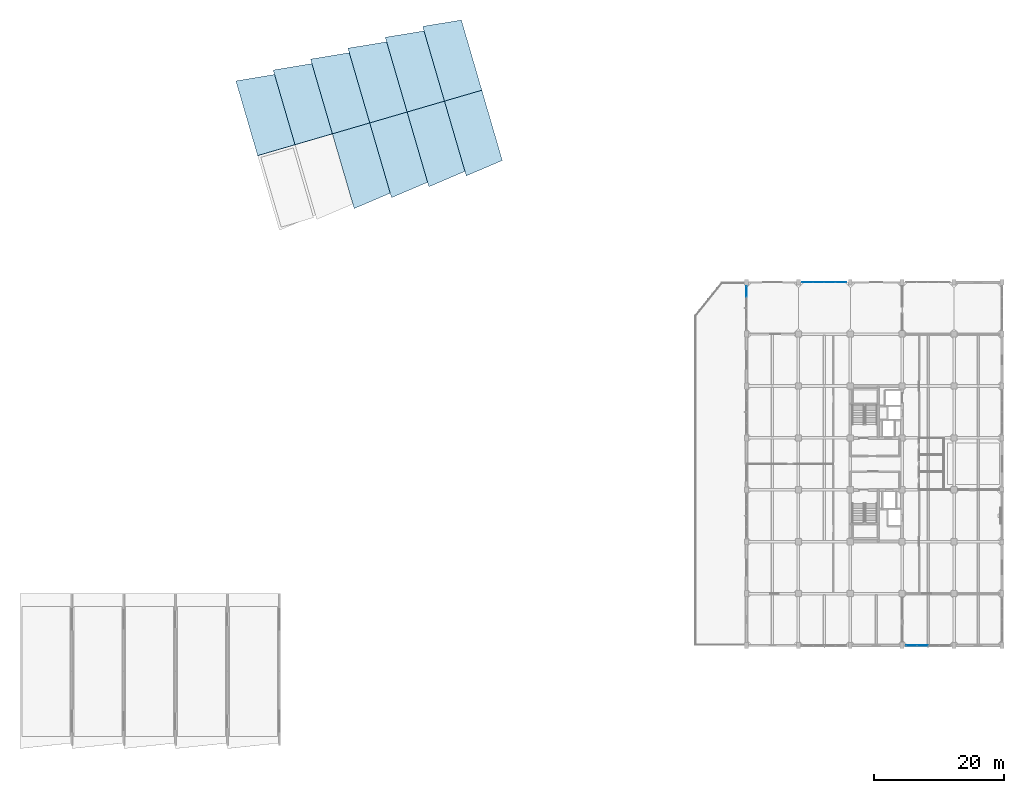
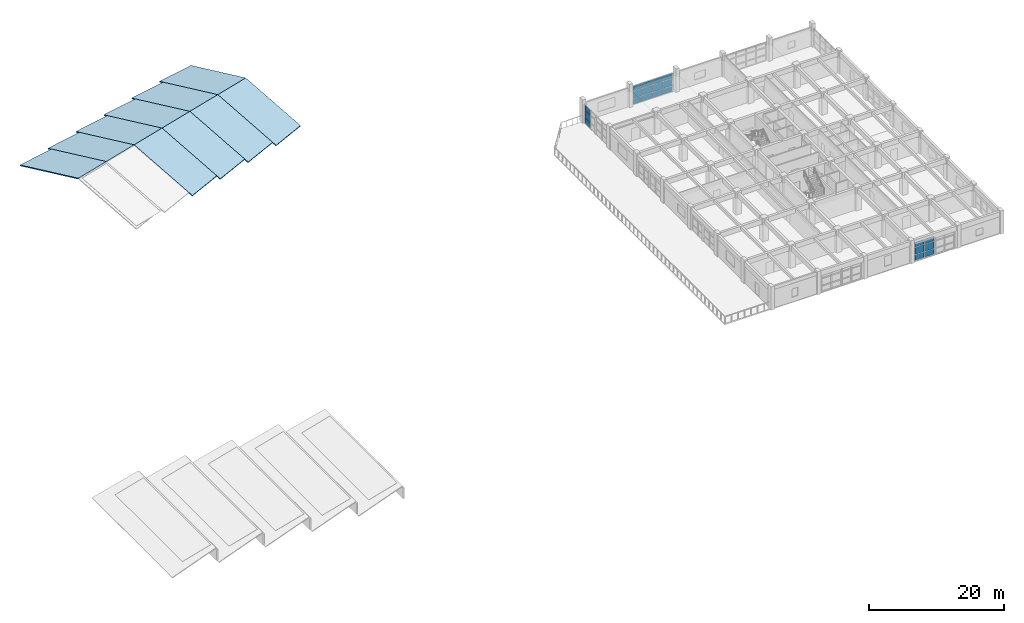
# One storey, part 23 of 35: 21 plates, 10 slabs, 3 elements without a shape of their own.
"""IFC4 building model written with IfcOpenShell, lengths in metres."""

from ifc_helpers import new_model, si_unit, direction, frame, origin, origin_2d, place, context, subcontext, project, spatial, polyline, rectangle, outline, extrude, material, layer, layer_set, type_object, element, aggregate, save


model = new_model("IFC4")

# Units and contexts
model_context = context("Model", 3, precision=1e-05, world=origin(), true_north=direction((0.0, 1.0)))
body_context = subcontext(model_context, "Body", "Model", "MODEL_VIEW")
ifc_project = project(units=[si_unit("LENGTHUNIT", "METRE"), si_unit("AREAUNIT", "SQUARE_METRE"), si_unit("VOLUMEUNIT", "CUBIC_METRE"), si_unit("PLANEANGLEUNIT", "RADIAN"), si_unit("MASSUNIT", "GRAM", prefix="KILO")], contexts=[model_context])

# Site, building, storey
site_placement = place(None, origin())
site = spatial("IfcSite", under=ifc_project, at=site_placement, CompositionType="ELEMENT")
building_placement = place(site_placement, origin())
building = spatial("IfcBuilding", under=site, at=building_placement, Name="Canggui Botanical Conservatory", CompositionType="ELEMENT")
storey_placement = place(building_placement, frame((0.0, 0.0, 15.0)))
storey = spatial("IfcBuildingStorey", under=building, at=storey_placement, Name="L04", CompositionType="ELEMENT", Elevation=15.0)

# Curtain wall, plates
ifc_material_1 = material(Name="Thermally Broken Aluminium", Category="aluminium")
ifc_layer_1 = layer(ifc_material_1, 0.179931640625, Name="Thermally Broken Aluminium", Category="aluminium")
ifc_layer_set_1 = layer_set([ifc_layer_1], Name="Thermally Broken Aluminium")
curtain_wall_type = type_object("IfcCurtainWallType", Name="CW-UNIT-A", PredefinedType="USERDEFINED", material=ifc_layer_set_1)
curtain_wall_1_placement = place(storey_placement, origin())
curtain_wall_1 = element("IfcCurtainWall", 1, at=curtain_wall_1_placement, inside=storey, type_object=curtain_wall_type, Name="Facade Curtain Wall CW-TWR-L04-02", ObjectType="UNITISED CURTAIN WALL", PredefinedType="USERDEFINED")
ifc_material_2 = material(Name="Low-E Insulated Glass", Category="glass")
ifc_layer_2 = layer(ifc_material_2, 0.02587890625, Name="Low-E Insulated Glass", Category="glass")
ifc_layer_set_2 = layer_set([ifc_layer_2], Name="Low-E Insulated Glass")
plate_type = type_object("IfcPlateType", Name="CWP-01", PredefinedType="CURTAIN_PANEL", material=ifc_layer_set_2)
plate_1_placement = place(storey_placement, frame((165.139892578125, 26.0, 0.06494140625), z_axis=(0.0, 0.0, 1.0), x_axis=(-1.0, 0.0, 0.0)))
plate_1 = element("IfcPlate", 2, at=plate_1_placement, type_object=plate_type, Name="CW-01 panel 3.1", PredefinedType="CURTAIN_PANEL", context=body_context, shape_type="SweptSolid", body=[
    extrude(rectangle(XDim=1.64990234375, YDim=0.02587890625, at=origin_2d()), origin(), (0.0, 0.0, 1.0), 0.990478515625),
])
plate_2_placement = place(storey_placement, frame((165.139892578125, 26.0, 1.12060546875), z_axis=(0.0, 0.0, 1.0), x_axis=(-1.0, 0.0, 0.0)))
plate_2 = element("IfcPlate", 3, at=plate_2_placement, type_object=plate_type, Name="CW-01 panel 3.2", PredefinedType="CURTAIN_PANEL", context=body_context, shape_type="SweptSolid", body=[
    extrude(rectangle(XDim=1.64990234375, YDim=0.02587890625, at=origin_2d()), origin(), (0.0, 0.0, 1.0), 1.294921875),
])
plate_3_placement = place(storey_placement, frame((165.139892578125, 26.0, 2.48046875), z_axis=(0.0, 0.0, 1.0), x_axis=(-1.0, 0.0, 0.0)))
plate_3 = element("IfcPlate", 4, at=plate_3_placement, type_object=plate_type, Name="CW-01 panel 3.3", PredefinedType="CURTAIN_PANEL", context=body_context, shape_type="SweptSolid", body=[
    extrude(rectangle(XDim=1.64990234375, YDim=0.02587890625, at=origin_2d()), origin(), (0.0, 0.0, 1.0), 0.8544921875),
])
plate_4_placement = place(storey_placement, frame((163.4375, 26.0, 0.06494140625), z_axis=(0.0, 0.0, 1.0), x_axis=(-1.0, 0.0, 0.0)))
plate_4 = element("IfcPlate", 5, at=plate_4_placement, type_object=plate_type, Name="CW-01 panel 4.1", PredefinedType="CURTAIN_PANEL", context=body_context, shape_type="SweptSolid", body=[
    extrude(rectangle(XDim=1.614990234375, YDim=0.02587890625, at=origin_2d()), origin(), (0.0, 0.0, 1.0), 0.990478515625),
])
plate_5_placement = place(storey_placement, frame((163.4375, 26.0, 1.12060546875), z_axis=(0.0, 0.0, 1.0), x_axis=(-1.0, 0.0, 0.0)))
plate_5 = element("IfcPlate", 6, at=plate_5_placement, type_object=plate_type, Name="CW-01 panel 4.2", PredefinedType="CURTAIN_PANEL", context=body_context, shape_type="SweptSolid", body=[
    extrude(rectangle(XDim=1.614990234375, YDim=0.02587890625, at=origin_2d()), origin(), (0.0, 0.0, 1.0), 1.294921875),
])
plate_6_placement = place(storey_placement, frame((163.4375, 26.0, 2.48046875), z_axis=(0.0, 0.0, 1.0), x_axis=(-1.0, 0.0, 0.0)))
plate_6 = element("IfcPlate", 7, at=plate_6_placement, type_object=plate_type, Name="CW-01 panel 4.3", PredefinedType="CURTAIN_PANEL", context=body_context, shape_type="SweptSolid", body=[
    extrude(rectangle(XDim=1.614990234375, YDim=0.02587890625, at=origin_2d()), origin(), (0.0, 0.0, 1.0), 0.8544921875),
])
aggregate(curtain_wall_1, [plate_1, plate_2, plate_3, plate_4, plate_5, plate_6])

curtain_wall_2_placement = place(storey_placement, origin())
curtain_wall_2 = element("IfcCurtainWall", 8, at=curtain_wall_2_placement, inside=storey, type_object=curtain_wall_type, Name="Facade Curtain Wall CW-TWR-L04-12", ObjectType="UNITISED CURTAIN WALL", PredefinedType="USERDEFINED")
plate_7_placement = place(storey_placement, frame((138.0, 80.5625, 0.06494140625), z_axis=(0.0, 0.0, 1.0), x_axis=(0.0, 1.0, 0.0)))
plate_7 = element("IfcPlate", 9, at=plate_7_placement, type_object=plate_type, Name="CW-01 panel 4.1", PredefinedType="CURTAIN_PANEL", context=body_context, shape_type="SweptSolid", body=[
    extrude(rectangle(XDim=1.614990234375, YDim=0.02587890625, at=origin_2d()), origin(), (0.0, 0.0, 1.0), 0.990478515625),
])
plate_8_placement = place(storey_placement, frame((138.0, 80.5625, 1.12060546875), z_axis=(0.0, 0.0, 1.0), x_axis=(0.0, 1.0, 0.0)))
plate_8 = element("IfcPlate", 10, at=plate_8_placement, type_object=plate_type, Name="CW-01 panel 4.2", PredefinedType="CURTAIN_PANEL", context=body_context, shape_type="SweptSolid", body=[
    extrude(rectangle(XDim=1.614990234375, YDim=0.02587890625, at=origin_2d()), origin(), (0.0, 0.0, 1.0), 1.294921875),
])
plate_9_placement = place(storey_placement, frame((138.0, 80.5625, 2.48046875), z_axis=(0.0, 0.0, 1.0), x_axis=(0.0, 1.0, 0.0)))
plate_9 = element("IfcPlate", 11, at=plate_9_placement, type_object=plate_type, Name="CW-01 panel 4.3", PredefinedType="CURTAIN_PANEL", context=body_context, shape_type="SweptSolid", body=[
    extrude(rectangle(XDim=1.614990234375, YDim=0.02587890625, at=origin_2d()), origin(), (0.0, 0.0, 1.0), 0.8544921875),
])
aggregate(curtain_wall_2, [plate_7, plate_8, plate_9])

curtain_wall_3_placement = place(storey_placement, origin())
curtain_wall_3 = element("IfcCurtainWall", 12, at=curtain_wall_3_placement, inside=storey, type_object=curtain_wall_type, Name="Facade Curtain Wall CW-TWR-L04-14", ObjectType="UNITISED CURTAIN WALL", PredefinedType="USERDEFINED")
plate_10_placement = place(storey_placement, frame((147.4375, 82.0, 0.06494140625), z_axis=(0.0, 0.0, 1.0), x_axis=(1.0, 0.0, 0.0)))
plate_10 = element("IfcPlate", 13, at=plate_10_placement, type_object=plate_type, Name="CW-01 panel 1.1", PredefinedType="CURTAIN_PANEL", context=body_context, shape_type="SweptSolid", body=[
    extrude(rectangle(XDim=1.614990234375, YDim=0.02587890625, at=origin_2d()), origin(), (0.0, 0.0, 1.0), 0.990478515625),
])
plate_11_placement = place(storey_placement, frame((147.4375, 82.0, 1.12060546875), z_axis=(0.0, 0.0, 1.0), x_axis=(1.0, 0.0, 0.0)))
plate_11 = element("IfcPlate", 14, at=plate_11_placement, type_object=plate_type, Name="CW-01 panel 1.2", PredefinedType="CURTAIN_PANEL", context=body_context, shape_type="SweptSolid", body=[
    extrude(rectangle(XDim=1.614990234375, YDim=0.02587890625, at=origin_2d()), origin(), (0.0, 0.0, 1.0), 1.294921875),
])
plate_12_placement = place(storey_placement, frame((147.4375, 82.0, 2.48046875), z_axis=(0.0, 0.0, 1.0), x_axis=(1.0, 0.0, 0.0)))
plate_12 = element("IfcPlate", 15, at=plate_12_placement, type_object=plate_type, Name="CW-01 panel 1.3", PredefinedType="CURTAIN_PANEL", context=body_context, shape_type="SweptSolid", body=[
    extrude(rectangle(XDim=1.614990234375, YDim=0.02587890625, at=origin_2d()), origin(), (0.0, 0.0, 1.0), 0.8544921875),
])
plate_13_placement = place(storey_placement, frame((149.139892578125, 82.0, 0.06494140625), z_axis=(0.0, 0.0, 1.0), x_axis=(1.0, 0.0, 0.0)))
plate_13 = element("IfcPlate", 16, at=plate_13_placement, type_object=plate_type, Name="CW-01 panel 2.1", PredefinedType="CURTAIN_PANEL", context=body_context, shape_type="SweptSolid", body=[
    extrude(rectangle(XDim=1.64990234375, YDim=0.02587890625, at=origin_2d()), origin(), (0.0, 0.0, 1.0), 0.990478515625),
])
plate_14_placement = place(storey_placement, frame((149.139892578125, 82.0, 1.12060546875), z_axis=(0.0, 0.0, 1.0), x_axis=(1.0, 0.0, 0.0)))
plate_14 = element("IfcPlate", 17, at=plate_14_placement, type_object=plate_type, Name="CW-01 panel 2.2", PredefinedType="CURTAIN_PANEL", context=body_context, shape_type="SweptSolid", body=[
    extrude(rectangle(XDim=1.64990234375, YDim=0.02587890625, at=origin_2d()), origin(), (0.0, 0.0, 1.0), 1.294921875),
])
plate_15_placement = place(storey_placement, frame((149.139892578125, 82.0, 2.48046875), z_axis=(0.0, 0.0, 1.0), x_axis=(1.0, 0.0, 0.0)))
plate_15 = element("IfcPlate", 18, at=plate_15_placement, type_object=plate_type, Name="CW-01 panel 2.3", PredefinedType="CURTAIN_PANEL", context=body_context, shape_type="SweptSolid", body=[
    extrude(rectangle(XDim=1.64990234375, YDim=0.02587890625, at=origin_2d()), origin(), (0.0, 0.0, 1.0), 0.8544921875),
])
plate_16_placement = place(storey_placement, frame((150.860107421875, 82.0, 0.06494140625), z_axis=(0.0, 0.0, 1.0), x_axis=(1.0, 0.0, 0.0)))
plate_16 = element("IfcPlate", 19, at=plate_16_placement, type_object=plate_type, Name="CW-01 panel 3.1", PredefinedType="CURTAIN_PANEL", context=body_context, shape_type="SweptSolid", body=[
    extrude(rectangle(XDim=1.64990234375, YDim=0.02587890625, at=origin_2d()), origin(), (0.0, 0.0, 1.0), 0.990478515625),
])
plate_17_placement = place(storey_placement, frame((150.860107421875, 82.0, 1.12060546875), z_axis=(0.0, 0.0, 1.0), x_axis=(1.0, 0.0, 0.0)))
plate_17 = element("IfcPlate", 20, at=plate_17_placement, type_object=plate_type, Name="CW-01 panel 3.2", PredefinedType="CURTAIN_PANEL", context=body_context, shape_type="SweptSolid", body=[
    extrude(rectangle(XDim=1.64990234375, YDim=0.02587890625, at=origin_2d()), origin(), (0.0, 0.0, 1.0), 1.294921875),
])
plate_18_placement = place(storey_placement, frame((150.860107421875, 82.0, 2.48046875), z_axis=(0.0, 0.0, 1.0), x_axis=(1.0, 0.0, 0.0)))
plate_18 = element("IfcPlate", 21, at=plate_18_placement, type_object=plate_type, Name="CW-01 panel 3.3", PredefinedType="CURTAIN_PANEL", context=body_context, shape_type="SweptSolid", body=[
    extrude(rectangle(XDim=1.64990234375, YDim=0.02587890625, at=origin_2d()), origin(), (0.0, 0.0, 1.0), 0.8544921875),
])
plate_19_placement = place(storey_placement, frame((152.5625, 82.0, 0.06494140625), z_axis=(0.0, 0.0, 1.0), x_axis=(1.0, 0.0, 0.0)))
plate_19 = element("IfcPlate", 22, at=plate_19_placement, type_object=plate_type, Name="CW-01 panel 4.1", PredefinedType="CURTAIN_PANEL", context=body_context, shape_type="SweptSolid", body=[
    extrude(rectangle(XDim=1.614990234375, YDim=0.02587890625, at=origin_2d()), origin(), (0.0, 0.0, 1.0), 0.990478515625),
])
plate_20_placement = place(storey_placement, frame((152.5625, 82.0, 1.12060546875), z_axis=(0.0, 0.0, 1.0), x_axis=(1.0, 0.0, 0.0)))
plate_20 = element("IfcPlate", 23, at=plate_20_placement, type_object=plate_type, Name="CW-01 panel 4.2", PredefinedType="CURTAIN_PANEL", context=body_context, shape_type="SweptSolid", body=[
    extrude(rectangle(XDim=1.614990234375, YDim=0.02587890625, at=origin_2d()), origin(), (0.0, 0.0, 1.0), 1.294921875),
])
plate_21_placement = place(storey_placement, frame((152.5625, 82.0, 2.48046875), z_axis=(0.0, 0.0, 1.0), x_axis=(1.0, 0.0, 0.0)))
plate_21 = element("IfcPlate", 24, at=plate_21_placement, type_object=plate_type, Name="CW-01 panel 4.3", PredefinedType="CURTAIN_PANEL", context=body_context, shape_type="SweptSolid", body=[
    extrude(rectangle(XDim=1.614990234375, YDim=0.02587890625, at=origin_2d()), origin(), (0.0, 0.0, 1.0), 0.8544921875),
])
aggregate(curtain_wall_3, [plate_10, plate_11, plate_12, plate_13, plate_14, plate_15, plate_16, plate_17, plate_18, plate_19, plate_20, plate_21])

# Slabs
ifc_material_3 = material(Name="Concrete C35", Category="concrete")
ifc_layer_3 = layer(ifc_material_3, 0.179931640625, Name="Concrete C35", Category="concrete")
ifc_layer_set_3 = layer_set([ifc_layer_3], Name="Concrete C35")
slab_type = type_object("IfcSlabType", Name="SLAB-R180", PredefinedType="ROOF", material=ifc_layer_set_3)
for number, where, z_axis, x_axis, name in (
    (25, (62.639892578125, 101.52001953125, 4.199951171875), (-0.076314797145, 0.261700649243, 0.962127237907), (0.960004019701, 0.279986217606, -1.0459017e-05), "Auditorium Folded Roof North Facet 1"),
    (26, (68.39990234375, 103.199951171875, 4.199951171875), (-0.076314797145, 0.261700649243, 0.962127237907), (0.960004019701, 0.279986217606, -1.0459017e-05), "Auditorium Folded Roof North Facet 2"),
):
    element("IfcSlab", number, at=place(storey_placement, frame(where, z_axis=z_axis, x_axis=x_axis)), inside=storey, type_object=slab_type, Name=name, PredefinedType="ROOF", context=body_context, shape_type="SweptSolid", body=[
        extrude(outline(polyline([(0.0, 0.0), (5.999990234409901, 2.220446049250313e-16), (6.000066797409762, 11.724039541667535), (-7.090343555609269e-10, 12.472324050146227), (0.0, 0.0)])), origin(), (0.0, 0.0, -1.0), 0.179931640625),
    ])
slab_1_placement = place(storey_placement, frame((77.52001953125, 93.360107421875, 0.800048828125), z_axis=(0.076341142573, -0.26169406791, 0.962126937972), x_axis=(0.91928365289, 0.392148526656, 0.033720892197)))
element("IfcSlab", 27, at=slab_1_placement, inside=storey, type_object=slab_type, Name="Auditorium Folded Roof South Facet 3", PredefinedType="ROOF", context=body_context, shape_type="SweptSolid", body=[
    extrude(outline(polyline([(0.0, 0.0), (6.046395107718868, 3.122502256758253e-16), (7.4971801375356435, 11.63399622364554), (1.5432188623688206, 12.37632249198927), (0.0, 0.0)])), origin(), (0.0, 0.0, -1.0), 0.179931640625),
])
slab_2_placement = place(storey_placement, frame((74.159912109375, 104.8798828125, 4.199951171875), z_axis=(-0.076325019707, 0.261697667839, 0.962127237955), x_axis=(0.959993082073, 0.280023717322, -1.0458965e-05)))
element("IfcSlab", 28, at=slab_2_placement, inside=storey, type_object=slab_type, Name="Auditorium Folded Roof North Facet 3", PredefinedType="ROOF", context=body_context, shape_type="SweptSolid", body=[
    extrude(outline(polyline([(0.0, 0.0), (6.000058595692225, 0.0), (6.000575780853181, 11.72403953051018), (0.0004687455079418523, 12.472324041337833), (0.0, 0.0)])), origin(), (0.0, 0.0, -1.0), 0.179931640625),
])
slab_3_placement = place(storey_placement, frame((83.280029296875, 95.0400390625, 0.800048828125), z_axis=(0.076335161967, -0.261693165976, 0.962127657813), x_axis=(0.919284043724, 0.392147186832, 0.033725818208)))
element("IfcSlab", 29, at=slab_3_placement, inside=storey, type_object=slab_type, Name="Auditorium Folded Roof South Facet 4", PredefinedType="ROOF", context=body_context, shape_type="SweptSolid", body=[
    extrude(outline(polyline([(0.0, 0.0), (6.046395107467122, -4.163336342344337e-17), (7.497180137847796, 11.633996223444381), (1.5433146016719832, 12.376537798190746), (0.0, 0.0)])), origin(), (0.0, 0.0, -1.0), 0.179931640625),
])
slab_4_placement = place(storey_placement, frame((79.919921875, 106.56005859375, 4.199951171875), z_axis=(-0.076316126356, 0.261699489851, 0.962127447831), x_axis=(0.960003897543, 0.279986636507, -8.918976e-06)))
element("IfcSlab", 30, at=slab_4_placement, inside=storey, type_object=slab_type, Name="Auditorium Folded Roof North Facet 4", PredefinedType="ROOF", context=body_context, shape_type="SweptSolid", body=[
    extrude(outline(polyline([(0.0, 0.0), (5.999990234506616, 2.220446049250313e-16), (5.999832421534214, 11.724105309475677), (-5.156025645668236e-10, 12.472324050192759), (0.0, 0.0)])), origin(), (0.0, 0.0, -1.0), 0.179931640625),
])
slab_5_placement = place(storey_placement, frame((89.0400390625, 96.719970703125, 0.800048828125), z_axis=(0.076341142573, -0.26169406791, 0.962126937972), x_axis=(0.919269903142, 0.392179929232, 0.033730524543)))
element("IfcSlab", 31, at=slab_5_placement, inside=storey, type_object=slab_type, Name="Auditorium Folded Roof South Facet 5", PredefinedType="ROOF", context=body_context, shape_type="SweptSolid", body=[
    extrude(outline(polyline([(0.0, 0.0), (6.046490850938612, 6.938893903907228e-18), (7.497594400986209, 11.63372925354368), (1.5437553097113619, 12.3764828351262), (0.0, 0.0)])), origin(), (0.0, 0.0, -1.0), 0.179931640625),
])
slab_6_placement = place(storey_placement, frame((85.679931640625, 108.239990234375, 4.199951171875), z_axis=(-0.076316126356, 0.261699489851, 0.962127447831), x_axis=(0.960003897543, 0.279986636507, -8.918976e-06)))
element("IfcSlab", 32, at=slab_6_placement, inside=storey, type_object=slab_type, Name="Auditorium Folded Roof North Facet 5", PredefinedType="ROOF", context=body_context, shape_type="SweptSolid", body=[
    extrude(outline(polyline([(0.0, 0.0), (5.999990234506616, 2.220446049250313e-16), (5.999832421534214, 11.724105309475677), (-5.156025645668236e-10, 12.472324050192759), (0.0, 0.0)])), origin(), (0.0, 0.0, -1.0), 0.179931640625),
])
slab_7_placement = place(storey_placement, frame((94.800048828125, 98.39990234375, 0.800048828125), z_axis=(0.076345384285, -0.261690184371, 0.962127657695), x_axis=(0.91926948732, 0.392181354588, 0.033725284226)))
element("IfcSlab", 33, at=slab_7_placement, inside=storey, type_object=slab_type, Name="Auditorium Folded Roof South Facet 6", PredefinedType="ROOF", context=body_context, shape_type="SweptSolid", body=[
    extrude(outline(polyline([(0.0, 0.0), (6.0464908513804145, -1.5265566588595902e-16), (7.4976901485225005, 11.633944555973658), (1.5437553104821704, 12.376482835245897), (0.0, 0.0)])), origin(), (0.0, 0.0, -1.0), 0.179931640625),
])
slab_8_placement = place(storey_placement, frame((91.43994140625, 109.919921875, 4.199951171875), z_axis=(-0.076321791046, 0.261700484081, 0.962126728058), x_axis=(0.959993378833, 0.280022699784, -1.4199816e-05)))
element("IfcSlab", 34, at=slab_8_placement, inside=storey, type_object=slab_type, Name="Auditorium Folded Roof North Facet 6", PredefinedType="ROOF", context=body_context, shape_type="SweptSolid", body=[
    extrude(outline(polyline([(0.0, 0.0), (6.000058595393272, 0.0), (6.000273042183755, 11.723879810600744), (0.0004687449100585208, 12.472324041194035), (0.0, 0.0)])), origin(), (0.0, 0.0, -1.0), 0.179931640625),
])

save(model, "model.ifc")
